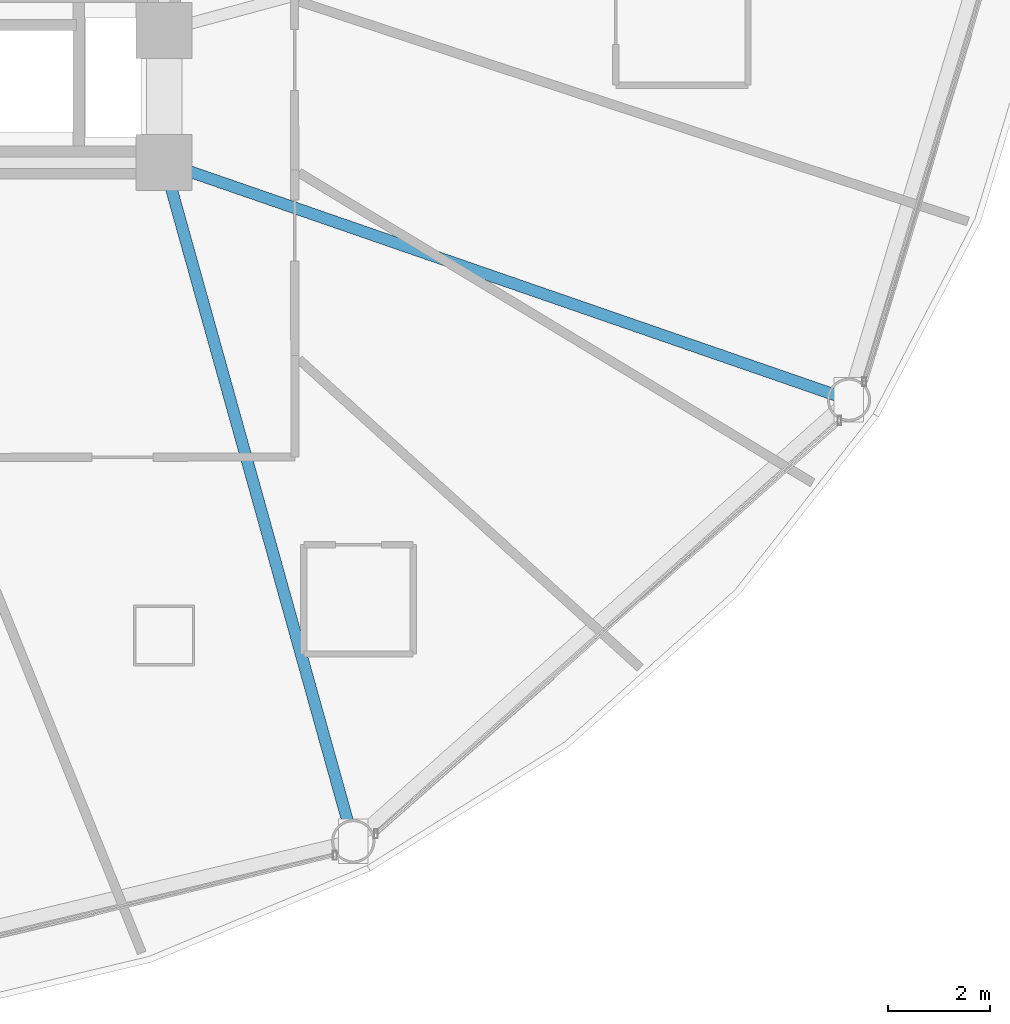
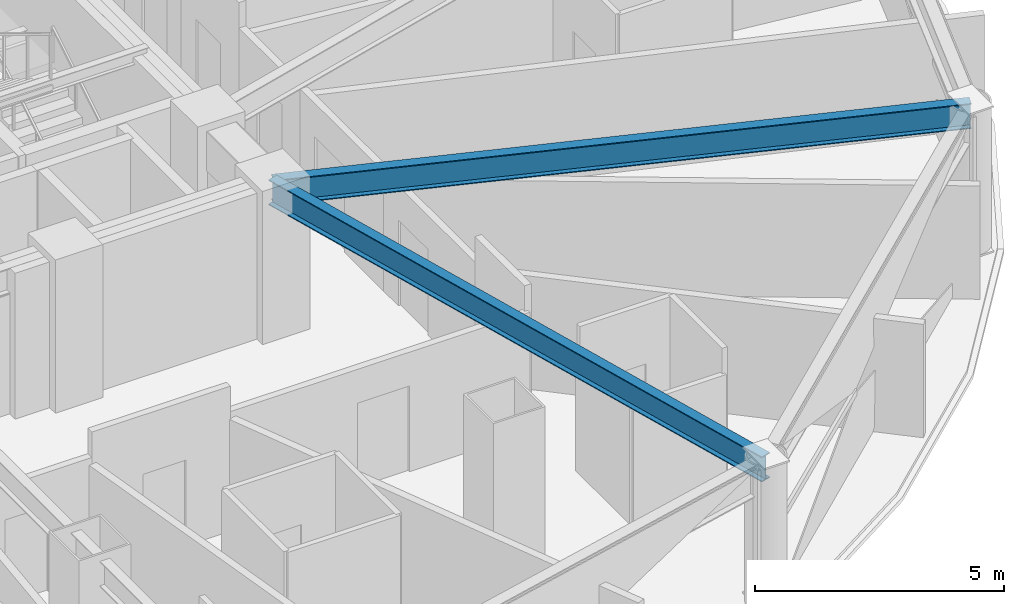
# One storey, part 11 of 32: 2 beams.
"""IFC4 building model written with IfcOpenShell, lengths in metres."""

from ifc_helpers import new_model, si_unit, direction, frame, origin, origin_2d, place, context, subcontext, project, spatial, i_section, extrude, material, material_profile, profile_set, type_object, element, save


model = new_model("IFC4")

# Units and contexts
model_context = context("Model", 3, precision=1e-05, world=origin(), true_north=direction((0.0, 1.0)))
body_context = subcontext(model_context, "Body", "Model", "MODEL_VIEW")
ifc_project = project(units=[si_unit("LENGTHUNIT", "METRE"), si_unit("AREAUNIT", "SQUARE_METRE"), si_unit("VOLUMEUNIT", "CUBIC_METRE"), si_unit("PLANEANGLEUNIT", "RADIAN"), si_unit("MASSUNIT", "GRAM", prefix="KILO")], contexts=[model_context])

# Site, building, storey
site_placement = place(None, origin())
site = spatial("IfcSite", under=ifc_project, at=site_placement, CompositionType="ELEMENT")
building_placement = place(site_placement, origin())
building = spatial("IfcBuilding", under=site, at=building_placement, Name="Vantalir Tower", CompositionType="ELEMENT")
storey_placement = place(building_placement, frame((0.0, 0.0, 45.75)))
storey = spatial("IfcBuildingStorey", under=building, at=storey_placement, Name="L10", CompositionType="ELEMENT", Elevation=45.75)

# Beams
ifc_material = material(Name="Steel S355", Category="steel")
ifc_material_profile = material_profile(ifc_material, i_section(OverallWidth=0.22998046875, OverallDepth=0.616943359375, WebThickness=0.01318359375, FlangeThickness=0.022216796875, at=origin_2d()), Name="Steel S355")
ifc_profile_set = profile_set([ifc_material_profile], Name="Steel S355")
beam_type = type_object("IfcBeamType", Name="BM-RB-610x229", PredefinedType="BEAM", material=ifc_profile_set)
beam_1_placement = place(storey_placement, frame((44.820068359375, 4.452880859375, 3.261962890625), z_axis=(-0.268476196098, 0.963286318873, 0.0), x_axis=(-0.963286318873, -0.268476196098, 0.0)))
element("IfcBeam", 1, at=beam_1_placement, inside=storey, type_object=beam_type, Name="L10 Radial Floor Beam 11", PredefinedType="BEAM", context=body_context, shape_type="SweptSolid", body=[
    extrude(i_section(OverallWidth=0.22998046875, OverallDepth=0.616943359375, WebThickness=0.01318359375, FlangeThickness=0.022216796875, at=origin_2d()), origin(), (0.0, 0.0, 1.0), 13.85595703125),
])
beam_2_placement = place(storey_placement, frame((54.570068359375, 13.136962890625, 3.261962890625), z_axis=(-0.944977317019, 0.327135859117, 0.0), x_axis=(-0.327135859117, -0.944977317019, 0.0)))
element("IfcBeam", 2, at=beam_2_placement, inside=storey, type_object=beam_type, Name="L10 Radial Floor Beam 12", PredefinedType="BEAM", context=body_context, shape_type="SweptSolid", body=[
    extrude(i_section(OverallWidth=0.22998046875, OverallDepth=0.616943359375, WebThickness=0.01318359375, FlangeThickness=0.022216796875, at=origin_2d()), origin(), (0.0, 0.0, 1.0), 14.25439453125),
])

save(model, "model.ifc")
